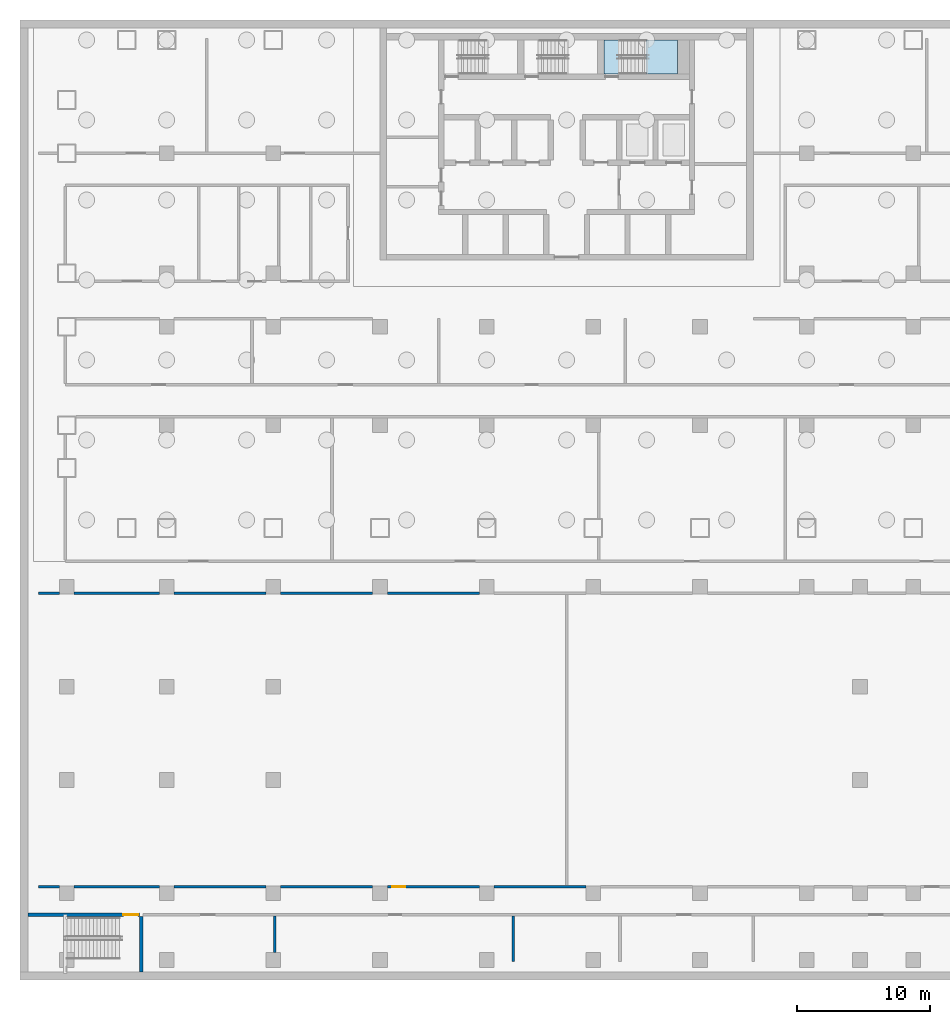
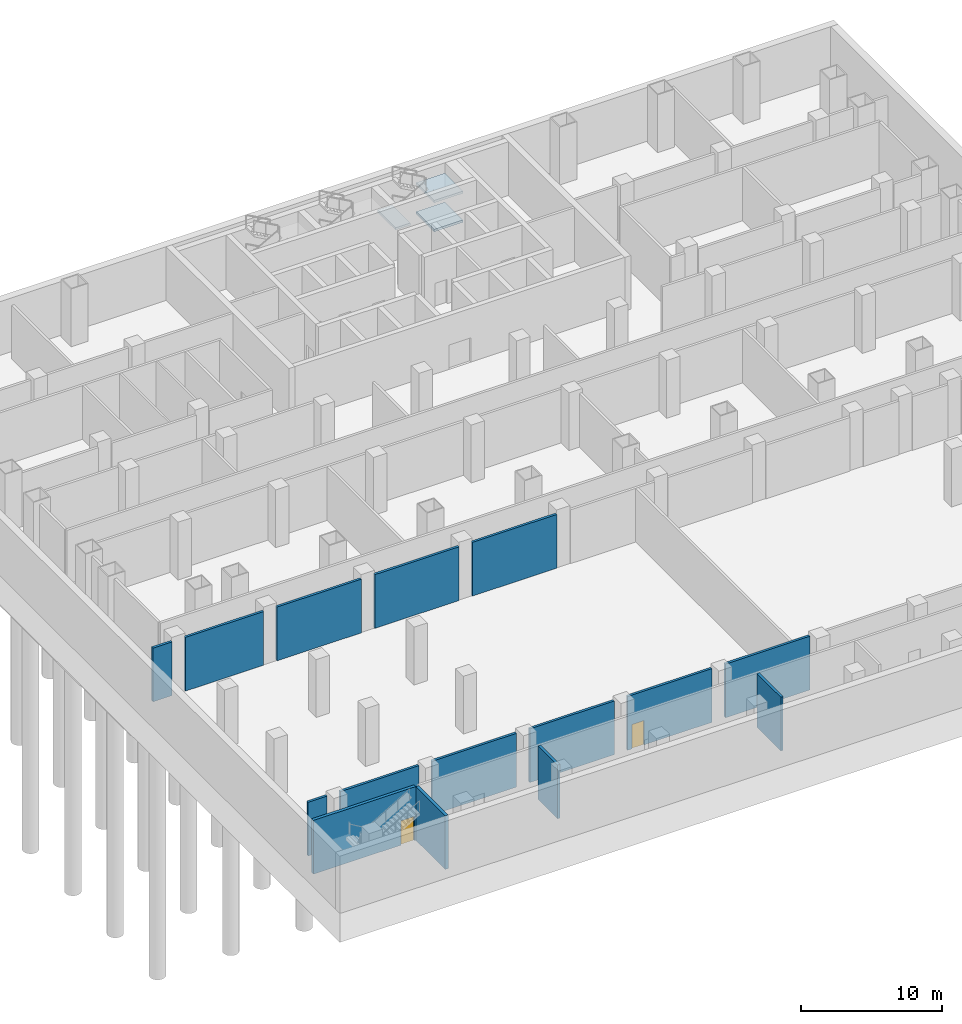
# One storey, part 2 of 14: 15 walls, 3 slabs, 2 doors, 2 openings, 1 element without a shape of its own.
"""IFC4 building model written with IfcOpenShell, lengths in metres."""

from ifc_helpers import new_model, si_unit, direction, frame, frame_2d, origin, place, context, subcontext, project, spatial, polyline, rectangle, outline, extrude, material, layer, layer_set, type_object, element, fill, aggregate, save


model = new_model("IFC4")

# Units and contexts
model_context = context("Model", 3, precision=1e-05, world=origin(), true_north=direction((0.0, 1.0)))
body_context = subcontext(model_context, "Body", "Model", "MODEL_VIEW")
ifc_project = project(units=[si_unit("LENGTHUNIT", "METRE"), si_unit("AREAUNIT", "SQUARE_METRE"), si_unit("VOLUMEUNIT", "CUBIC_METRE"), si_unit("PLANEANGLEUNIT", "RADIAN"), si_unit("MASSUNIT", "GRAM", prefix="KILO")], contexts=[model_context])

# Site, building, storey
site_placement = place(None, origin())
site = spatial("IfcSite", under=ifc_project, at=site_placement, CompositionType="ELEMENT")
building_placement = place(site_placement, origin())
building = spatial("IfcBuilding", under=site, at=building_placement, Name="Vidyagriha Tower", CompositionType="ELEMENT")
storey_placement = place(building_placement, frame((0.0, 0.0, -10.0)))
storey = spatial("IfcBuildingStorey", under=building, at=storey_placement, Name="B2", CompositionType="ELEMENT", Elevation=-10.0)

# Stair, slabs
ifc_material_1 = material(Name="Concrete C40/50", Category="concrete")
stair_type = type_object("IfcStairType", Name="Exit stair, half-turn, precast flights", PredefinedType="HALF_TURN_STAIR", material=ifc_material_1)
stair_placement = place(storey_placement, origin())
stair = element("IfcStair", 1, at=stair_placement, inside=storey, type_object=stair_type, Name="B2 Exit Stair ST3", PredefinedType="HALF_TURN_STAIR")
ifc_material_2 = material(Name="Concrete C40/50", Category="concrete")
ifc_layer_1 = layer(ifc_material_2, 0.199951171875)
ifc_layer_set_1 = layer_set([ifc_layer_1], Name="Concrete C40/50")
slab_type = type_object("IfcSlabType", Name="Exit stair landing 200 mm", PredefinedType="LANDING", material=ifc_layer_set_1)
slab_1_placement = place(storey_placement, frame((0.0, 0.0, 1.050048828125)))
slab_1 = element("IfcSlab", 2, at=slab_1_placement, type_object=slab_type, Name="ST3 landing 1", PredefinedType="LANDING", context=body_context, shape_type="SweptSolid", body=[
    extrude(outline(polyline([(5.9599609375, 16.949951171875), (8.300048828125, 16.949951171875), (8.300048828125, 19.5), (5.9599609375, 19.5), (5.9599609375, 16.949951171875)])), origin(), (0.0, 0.0, 1.0), 0.199951171875),
])
slab_2_placement = place(storey_placement, frame((0.0, 0.0, 2.300048828125)))
slab_2 = element("IfcSlab", 3, at=slab_2_placement, type_object=slab_type, Name="ST3 landing 2", PredefinedType="LANDING", context=body_context, shape_type="SweptSolid", body=[
    extrude(outline(polyline([(2.800048828125, 16.949951171875), (4.0, 16.949951171875), (4.0, 19.5), (2.800048828125, 19.5), (2.800048828125, 16.949951171875)])), origin(), (0.0, 0.0, 1.0), 0.199951171875),
])
slab_3_placement = place(storey_placement, frame((0.0, 0.0, 3.550048828125)))
slab_3 = element("IfcSlab", 4, at=slab_3_placement, type_object=slab_type, Name="ST3 landing 3", PredefinedType="LANDING", context=body_context, shape_type="SweptSolid", body=[
    extrude(outline(polyline([(5.9599609375, 16.949951171875), (8.300048828125, 16.949951171875), (8.300048828125, 19.5), (5.9599609375, 19.5), (5.9599609375, 16.949951171875)])), origin(), (0.0, 0.0, 1.0), 0.199951171875),
])
aggregate(stair, [slab_1, slab_2, slab_3])

# Wall, opening, door
ifc_material_3 = material(Name="Concrete C32/40", Category="concrete")
ifc_layer_2 = layer(ifc_material_3, 0.25)
ifc_layer_set_2 = layer_set([ifc_layer_2], Name="Concrete C32/40")
wall_type_1 = type_object("IfcWallType", Name="Concrete Stair Enclosure Wall 250", PredefinedType="SOLIDWALL", material=ifc_layer_set_2)
wall_1_placement = place(storey_placement, frame((-40.39990234375, -46.10009765625, 0.0)))
wall_1 = element("IfcWall", 5, at=wall_1_placement, inside=storey, type_object=wall_type_1, Name="B2 Concrete Stair Enclosure Wall 250 001", PredefinedType="SOLIDWALL", context=body_context, shape_type="SweptSolid", body=[
    extrude(rectangle(XDim=8.375, YDim=0.25, at=frame_2d((4.1875, 0.0))), origin(), (0.0, 0.0, 1.0), 4.64990234375),
])
opening_1_placement = place(wall_1_placement, frame((7.155029296875, 0.0, 0.0)))
opening_1 = element("IfcOpeningElement", 6, at=opening_1_placement, cuts=wall_1, Name="Opening DB2-40", PredefinedType="OPENING", context=body_context, shape_type="SweptSolid", body=[
    extrude(rectangle(XDim=1.10009765625, YDim=2.10009765625, at=frame_2d((0.550048828125, 1.050048828125))), frame((0.0, 0.135009765625, 0.0), z_axis=(0.0, -1.0, 0.0), x_axis=(1.0, 0.0, 0.0)), (0.0, 0.0, 1.0), 0.27001953125),
])
ifc_material_4 = material(Name="Steel fire door set", Category="steel")
door_type_1 = type_object("IfcDoorType", Name="Podium Door 1100x2100 EI 90", OperationType="NOTDEFINED", PredefinedType="DOOR", material=ifc_material_4)
door_1_placement = place(opening_1_placement, origin())
door_1 = element("IfcDoor", 7, at=door_1_placement, inside=storey, type_object=door_type_1, Name="B2 door DB2-40", OperationType="SINGLE_SWING_RIGHT", OverallHeight=2.10009765625, OverallWidth=1.10009765625, PredefinedType="DOOR", context=body_context, shape_type="SweptSolid", body=[
    extrude(rectangle(XDim=1.10009765625, YDim=2.10009765625, at=frame_2d((0.550048828125, 1.050048828125))), frame((0.0, 0.02490234375, 0.0), z_axis=(0.0, -1.0, 0.0), x_axis=(1.0, 0.0, 0.0)), (0.0, 0.0, 1.0), 0.050048828125),
])
fill(opening_1, door_1)

# Walls
wall_2_placement = place(storey_placement, frame((-31.89990234375, -50.39990234375, 0.0), z_axis=(0.0, 0.0, 1.0), x_axis=(0.0, 1.0, 0.0)))
element("IfcWall", 8, at=wall_2_placement, inside=storey, type_object=wall_type_1, Name="B2 Concrete Stair Enclosure Wall 250 061", PredefinedType="SOLIDWALL", context=body_context, shape_type="SweptSolid", body=[
    extrude(rectangle(XDim=4.1748046875, YDim=0.25, at=frame_2d((2.08740234375, 0.0))), origin(), (0.0, 0.0, 1.0), 4.64990234375),
])
ifc_material_5 = material(Name="Fire rated gypsum board on light gauge framing")
ifc_layer_3 = layer(ifc_material_5, 0.199951171875)
ifc_layer_set_3 = layer_set([ifc_layer_3], Name="Fire rated gypsum board on light gauge framing")
wall_type_2 = type_object("IfcWallType", Name="Fire Rated Corridor Wall 200", PredefinedType="PARTITIONING", material=ifc_layer_set_3)
wall_3_placement = place(storey_placement, frame((-39.60009765625, -44.0, 0.0)))
element("IfcWall", 9, at=wall_3_placement, inside=storey, type_object=wall_type_2, Name="B2 Fire Rated Corridor Wall 200 003", PredefinedType="PARTITIONING", context=body_context, shape_type="SweptSolid", body=[
    extrude(rectangle(XDim=1.550048828125, YDim=0.199951171875, at=frame_2d((0.77490234375, 0.0))), origin(), (0.0, 0.0, 1.0), 4.64990234375),
])
wall_4_placement = place(storey_placement, frame((-36.949951171875, -44.0, 0.0)))
element("IfcWall", 10, at=wall_4_placement, inside=storey, type_object=wall_type_2, Name="B2 Fire Rated Corridor Wall 200 004", PredefinedType="PARTITIONING", context=body_context, shape_type="SweptSolid", body=[
    extrude(rectangle(XDim=6.39990234375, YDim=0.199951171875, at=frame_2d((3.199951171875, 0.0))), origin(), (0.0, 0.0, 1.0), 4.64990234375),
])
for number, where, name in (
    (11, (-29.449951171875, -44.0, 0.0), "B2 Fire Rated Corridor Wall 200 005"),
    (12, (-21.449951171875, -44.0, 0.0), "B2 Fire Rated Corridor Wall 200 006"),
):
    element("IfcWall", number, at=place(storey_placement, frame(where)), inside=storey, type_object=wall_type_2, Name=name, PredefinedType="PARTITIONING", context=body_context, shape_type="SweptSolid", body=[
        extrude(rectangle(XDim=6.89990234375, YDim=0.199951171875, at=frame_2d((3.449951171875, 0.0))), origin(), (0.0, 0.0, 1.0), 4.64990234375),
    ])

# Wall, opening, door
wall_5_placement = place(storey_placement, frame((-13.449951171875, -44.0, 0.0)))
wall_5 = element("IfcWall", 13, at=wall_5_placement, inside=storey, type_object=wall_type_2, Name="B2 Fire Rated Corridor Wall 200 007", PredefinedType="PARTITIONING", context=body_context, shape_type="SweptSolid", body=[
    extrude(rectangle(XDim=6.89990234375, YDim=0.199951171875, at=frame_2d((3.449951171875, 0.0))), origin(), (0.0, 0.0, 1.0), 4.64990234375),
])
opening_2_placement = place(wall_5_placement, frame((0.35009765625, 0.0, 0.0)))
opening_2 = element("IfcOpeningElement", 14, at=opening_2_placement, cuts=wall_5, Name="Opening DB2-38", PredefinedType="OPENING", context=body_context, shape_type="SweptSolid", body=[
    extrude(rectangle(XDim=1.0, YDim=2.10009765625, at=frame_2d((0.5, 1.050048828125))), frame((0.0, 0.10986328125, 0.0), z_axis=(0.0, -1.0, 0.0), x_axis=(1.0, 0.0, 0.0)), (0.0, 0.0, 1.0), 0.219970703125),
])
ifc_material_6 = material(Name="Steel fire door set", Category="steel")
door_type_2 = type_object("IfcDoorType", Name="Podium Door 1000x2100 EI 60", OperationType="NOTDEFINED", PredefinedType="DOOR", material=ifc_material_6)
door_2_placement = place(opening_2_placement, origin())
door_2 = element("IfcDoor", 15, at=door_2_placement, inside=storey, type_object=door_type_2, Name="B2 door DB2-38", OperationType="SINGLE_SWING_LEFT", OverallHeight=2.10009765625, OverallWidth=1.0, PredefinedType="DOOR", context=body_context, shape_type="SweptSolid", body=[
    extrude(rectangle(XDim=1.0, YDim=2.10009765625, at=frame_2d((0.5, 1.050048828125))), frame((0.0, 0.02490234375, 0.0), z_axis=(0.0, -1.0, 0.0), x_axis=(1.0, 0.0, 0.0)), (0.0, 0.0, 1.0), 0.050048828125),
])
fill(opening_2, door_2)

# Walls
wall_6_placement = place(storey_placement, frame((-5.449951171875, -44.0, 0.0)))
element("IfcWall", 16, at=wall_6_placement, inside=storey, type_object=wall_type_2, Name="B2 Fire Rated Corridor Wall 200 008", PredefinedType="PARTITIONING", context=body_context, shape_type="SweptSolid", body=[
    extrude(rectangle(XDim=6.89990234375, YDim=0.199951171875, at=frame_2d((3.449951171875, 0.0))), origin(), (0.0, 0.0, 1.0), 4.64990234375),
])
wall_7_placement = place(storey_placement, frame((-39.60009765625, -22.0, 0.0)))
element("IfcWall", 17, at=wall_7_placement, inside=storey, type_object=wall_type_2, Name="B2 Fire Rated Corridor Wall 200 016", PredefinedType="PARTITIONING", context=body_context, shape_type="SweptSolid", body=[
    extrude(rectangle(XDim=1.550048828125, YDim=0.199951171875, at=frame_2d((0.77490234375, 0.0))), origin(), (0.0, 0.0, 1.0), 4.64990234375),
])
wall_8_placement = place(storey_placement, frame((-36.949951171875, -22.0, 0.0)))
element("IfcWall", 18, at=wall_8_placement, inside=storey, type_object=wall_type_2, Name="B2 Fire Rated Corridor Wall 200 017", PredefinedType="PARTITIONING", context=body_context, shape_type="SweptSolid", body=[
    extrude(rectangle(XDim=6.39990234375, YDim=0.199951171875, at=frame_2d((3.199951171875, 0.0))), origin(), (0.0, 0.0, 1.0), 4.64990234375),
])
for number, where, name in (
    (19, (-29.449951171875, -22.0, 0.0), "B2 Fire Rated Corridor Wall 200 018"),
    (20, (-21.449951171875, -22.0, 0.0), "B2 Fire Rated Corridor Wall 200 019"),
    (21, (-13.449951171875, -22.0, 0.0), "B2 Fire Rated Corridor Wall 200 020"),
):
    element("IfcWall", number, at=place(storey_placement, frame(where)), inside=storey, type_object=wall_type_2, Name=name, PredefinedType="PARTITIONING", context=body_context, shape_type="SweptSolid", body=[
        extrude(rectangle(XDim=6.89990234375, YDim=0.199951171875, at=frame_2d((3.449951171875, 0.0))), origin(), (0.0, 0.0, 1.0), 4.64990234375),
    ])
wall_9_placement = place(storey_placement, frame((-21.89990234375, -48.949951171875, 0.0), z_axis=(0.0, 0.0, 1.0), x_axis=(0.0, 1.0, 0.0)))
element("IfcWall", 22, at=wall_9_placement, inside=storey, type_object=wall_type_2, Name="B2 Fire Rated Corridor Wall 200 066", PredefinedType="PARTITIONING", context=body_context, shape_type="SweptSolid", body=[
    extrude(rectangle(XDim=2.75, YDim=0.199951171875, at=frame_2d((1.375, 0.0))), origin(), (0.0, 0.0, 1.0), 4.64990234375),
])
wall_10_placement = place(storey_placement, frame((-4.0, -49.60009765625, 0.0), z_axis=(0.0, 0.0, 1.0), x_axis=(0.0, 1.0, 0.0)))
element("IfcWall", 23, at=wall_10_placement, inside=storey, type_object=wall_type_2, Name="B2 Fire Rated Corridor Wall 200 072", PredefinedType="PARTITIONING", context=body_context, shape_type="SweptSolid", body=[
    extrude(rectangle(XDim=3.400146484375, YDim=0.199951171875, at=frame_2d((1.7001953125, 0.0))), origin(), (0.0, 0.0, 1.0), 4.64990234375),
])

save(model, "model.ifc")
